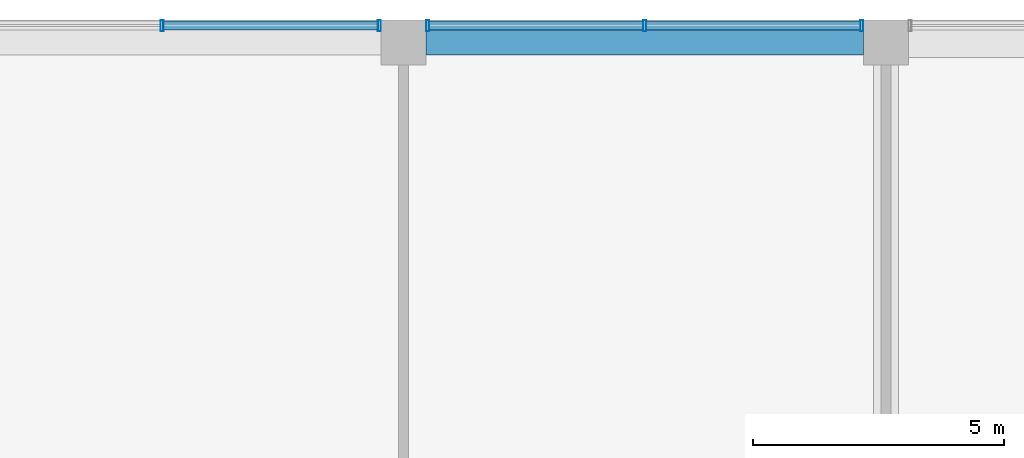
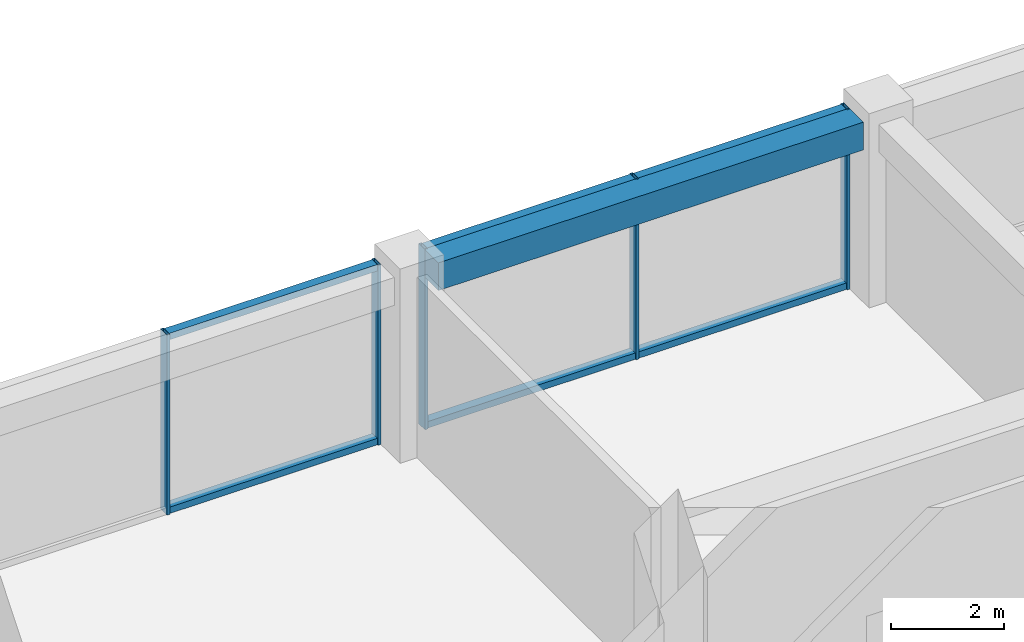
# One storey, part 24 of 37: 11 members, 1 beam, 2 elements without a shape of their own.
"""IFC4 building model written with IfcOpenShell, lengths in metres."""

import ifcopenshell
import ifcopenshell.guid

model = None  # the IFC model being written
_history = None  # IfcOwnerHistory: only IFC2X3 demands one
_inside = {}  # id of a spatial element -> (the spatial element, [elements in it])
_under = {}  # id of a project, library or spatial element -> (it, [spatial elements below it])
_declared = {}  # id of a project -> (the project, [libraries it declares])
_typed = {}  # id of a type object -> (the type object, [elements of that type])
_made_of = {}  # id of a material, layer set ... -> (it, [elements and type objects made of it])


def new_model(schema):
    """Start an empty IFC model of exactly this schema.

    Asked for "IFC4X3", IfcOpenShell would pick the latest addendum, in which some entities
    have other attributes; the version numbers below select the first issue.
    IFC2X3 requires an IfcOwnerHistory on every rooted entity: one is made here for all.
    """
    global model, _history
    if schema == "IFC4X3":
        model = ifcopenshell.file(schema_version=(4, 3, 0, 0))
    else:
        model = ifcopenshell.file(schema=schema)
    _inside.clear()
    _under.clear()
    _declared.clear()
    _typed.clear()
    _made_of.clear()
    _history = None
    if model.schema == "IFC2X3":
        org = make("IfcOrganization", Name="unknown")
        user = make(
            "IfcPersonAndOrganization",
            ThePerson=make("IfcPerson", FamilyName="unknown"),
            TheOrganization=org,
        )
        app = make(
            "IfcApplication",
            ApplicationDeveloper=org,
            Version="unknown",
            ApplicationFullName="unknown",
            ApplicationIdentifier="unknown",
        )
        _history = make(
            "IfcOwnerHistory",
            OwningUser=user,
            OwningApplication=app,
            ChangeAction="ADDED",
            CreationDate=0,
        )
    return model


def make(cls, **values):
    """One entity of the class cls with the attributes given. An attribute that is None is left unset."""
    return model.create_entity(
        cls, **{name: value for name, value in values.items() if value is not None}
    )


def rooted(cls, **values):
    """An entity with a GlobalId (a new one), such as an element, a storey or a relation."""
    return make(cls, GlobalId=ifcopenshell.guid.new(), OwnerHistory=_history, **values)


def si_unit(unit_type, name, prefix=None):
    """IfcSIUnit, for example si_unit("LENGTHUNIT", "METRE", prefix="MILLI")."""
    return make("IfcSIUnit", UnitType=unit_type, Prefix=prefix, Name=name)


def assignment(units):
    """IfcUnitAssignment: the units of a project."""
    return None if units is None else make("IfcUnitAssignment", Units=units)


def point(xyz):
    """IfcCartesianPoint."""
    return None if xyz is None else make("IfcCartesianPoint", Coordinates=xyz)


def direction(xyz):
    """IfcDirection."""
    return None if xyz is None else make("IfcDirection", DirectionRatios=xyz)


def frame(location, z_axis=None, x_axis=None):
    """IfcAxis2Placement3D, a coordinate frame: its origin and axes. An axis left out is left unset."""
    return make(
        "IfcAxis2Placement3D",
        Location=point(location),
        Axis=direction(z_axis),
        RefDirection=direction(x_axis),
    )


def frame_2d(location, x_axis=None):
    """IfcAxis2Placement2D, a coordinate frame in the plane: its origin and x axis."""
    return make(
        "IfcAxis2Placement2D", Location=point(location), RefDirection=direction(x_axis)
    )


def origin():
    """The frame at (0, 0, 0) with its axes left unset."""
    return frame((0.0, 0.0, 0.0))


def origin_2d():
    """The frame at (0, 0) in the plane with its x axis left unset."""
    return frame_2d((0.0, 0.0))


def place(relative_to, where):
    """IfcLocalPlacement: puts the frame where relative to a parent placement (None: the world)."""
    return make(
        "IfcLocalPlacement", PlacementRelTo=relative_to, RelativePlacement=where
    )


def context(
    kind, dimensions, precision=None, world=None, true_north=None, identifier=None
):
    """IfcGeometricRepresentationContext, for example the 3D "Model" context."""
    return make(
        "IfcGeometricRepresentationContext",
        ContextIdentifier=identifier,
        ContextType=kind,
        CoordinateSpaceDimension=dimensions,
        Precision=precision,
        WorldCoordinateSystem=world,
        TrueNorth=true_north,
    )


def subcontext(parent, identifier, kind, view, scale=None):
    """IfcGeometricRepresentationSubContext, for example "Body" below "Model"."""
    return make(
        "IfcGeometricRepresentationSubContext",
        ContextIdentifier=identifier,
        ContextType=kind,
        ParentContext=parent,
        TargetScale=scale,
        TargetView=view,
    )


def project(units=None, contexts=None):
    """IfcProject with its units and contexts."""
    return rooted(
        "IfcProject",
        Name="project",
        RepresentationContexts=contexts,
        UnitsInContext=assignment(units),
    )


def spatial(cls, under=None, at=None, **own):
    """A site, building, storey or space (cls), placed at a placement, below another one or the project."""
    s = rooted(cls, ObjectPlacement=at, **own)
    if under is not None:
        _under.setdefault(under.id(), (under, []))[1].append(s)
    return s


def profile(cls, at=None, kind="AREA", **sizes):
    """A parametric profile (cls). Its sizes go by their IFC names, for example OverallWidth=200.0."""
    return make(cls, ProfileType=kind, Position=at, **sizes)


def rectangle(**sizes):
    """IfcRectangleProfileDef."""
    return profile("IfcRectangleProfileDef", **sizes)


def hollow_rectangle(**sizes):
    """IfcRectangleHollowProfileDef."""
    return profile("IfcRectangleHollowProfileDef", **sizes)


def extrude(swept, where, along, depth):
    """IfcExtrudedAreaSolid: the profile swept, set in the frame where, extruded along a direction by depth."""
    return make(
        "IfcExtrudedAreaSolid",
        SweptArea=swept,
        Position=where,
        ExtrudedDirection=direction(along),
        Depth=depth,
    )


def shape(context_of_items, identifier, shape_type, items):
    """IfcShapeRepresentation: the items that make up one representation, for example the "Body"."""
    return make(
        "IfcShapeRepresentation",
        ContextOfItems=context_of_items,
        RepresentationIdentifier=identifier,
        RepresentationType=shape_type,
        Items=items,
    )


def material(Name=None, Category=None):
    """IfcMaterial."""
    return make("IfcMaterial", Name=Name, Category=Category)


def layer(
    of_material, thickness, ventilated=None, Name=None, Category=None, Priority=None
):
    """IfcMaterialLayer: one layer of a wall or slab, of a material (None: an air gap)."""
    return make(
        "IfcMaterialLayer",
        Material=of_material,
        LayerThickness=thickness,
        IsVentilated=ventilated,
        Name=Name,
        Category=Category,
        Priority=Priority,
    )


def layer_set(layers, Name=None):
    """IfcMaterialLayerSet."""
    return make("IfcMaterialLayerSet", MaterialLayers=layers, LayerSetName=Name)


def material_profile(
    of_material, cross_section, Name=None, Category=None, Priority=None
):
    """IfcMaterialProfile: a cross section and its material."""
    return make(
        "IfcMaterialProfile",
        Name=Name,
        Material=of_material,
        Profile=cross_section,
        Priority=Priority,
        Category=Category,
    )


def profile_set(profiles, Name=None, composite=None):
    """IfcMaterialProfileSet."""
    return make(
        "IfcMaterialProfileSet",
        Name=Name,
        MaterialProfiles=profiles,
        CompositeProfile=composite,
    )


def made_of(thing, what):
    """Note that an element or type object is made of a material, layer set ...; save() writes the relation."""
    if what is not None:
        _made_of.setdefault(what.id(), (what, []))[1].append(thing)
    return thing


def type_object(cls, material=None, **own):
    """A type object (cls), such as IfcWallType, which elements share."""
    return made_of(rooted(cls, **own), material)


def element(
    cls,
    number,
    at=None,
    inside=None,
    cuts=None,
    type_object=None,
    material=None,
    context=None,
    identifier="Body",
    shape_type=None,
    held_by="IfcProductDefinitionShape",
    body=None,
    shapes=None,
    **own,
):
    """One element of the class cls, such as IfcWall. Its Tag is "e" and its number.

    at: its placement. inside: the storey or other place that contains it. cuts: it is an
    opening in that element (IfcRelVoidsElement). A single representation is given by context,
    identifier, shape_type and body (its items); several are given by shapes. held_by: the class
    of the entity that holds the representations. save() writes the other relations.
    """
    e = rooted(cls, Tag="e%d" % number, ObjectPlacement=at, **own)
    if body is not None:
        shapes = [shape(context, identifier, shape_type, body)]
    if shapes is not None:
        e.Representation = make(held_by, Representations=shapes)
    if inside is not None:
        _inside.setdefault(inside.id(), (inside, []))[1].append(e)
    if cuts is not None:
        rooted(
            "IfcRelVoidsElement", RelatingBuildingElement=cuts, RelatedOpeningElement=e
        )
    if type_object is not None:
        _typed.setdefault(type_object.id(), (type_object, []))[1].append(e)
    return made_of(e, material)


def aggregate(whole, parts):
    """IfcRelAggregates: a whole, such as a stair, and the parts it consists of."""
    return rooted("IfcRelAggregates", RelatingObject=whole, RelatedObjects=parts)


def save(model, path):
    """Write the relations noted so far, then the file.

    IfcRelAggregates (storeys below a building ...), IfcRelContainedInSpatialStructure (elements
    in a storey), IfcRelDefinesByType, IfcRelAssociatesMaterial and IfcRelDeclares: one each for
    every whole, place, type object, material and project.
    """
    for whole, parts in _under.values():
        aggregate(whole, parts)
    for where, things in _inside.values():
        rooted(
            "IfcRelContainedInSpatialStructure",
            RelatedElements=things,
            RelatingStructure=where,
        )
    for kind, things in _typed.values():
        rooted("IfcRelDefinesByType", RelatedObjects=things, RelatingType=kind)
    for what, things in _made_of.values():
        rooted("IfcRelAssociatesMaterial", RelatedObjects=things, RelatingMaterial=what)
    for by, libraries in _declared.values():
        rooted("IfcRelDeclares", RelatingContext=by, RelatedDefinitions=libraries)
    model.write(path)


model = new_model("IFC4")

# Units and contexts
model_context = context("Model", 3, precision=1e-05, world=origin(), true_north=direction((0.0, 1.0)))
body_context = subcontext(model_context, "Body", "Model", "MODEL_VIEW")
ifc_project = project(units=[si_unit("LENGTHUNIT", "METRE"), si_unit("AREAUNIT", "SQUARE_METRE"), si_unit("VOLUMEUNIT", "CUBIC_METRE"), si_unit("PLANEANGLEUNIT", "RADIAN"), si_unit("MASSUNIT", "GRAM", prefix="KILO")], contexts=[model_context])

# Site, building, storey
site_placement = place(None, origin())
site = spatial("IfcSite", under=ifc_project, at=site_placement, CompositionType="ELEMENT")
building_placement = place(site_placement, origin())
building = spatial("IfcBuilding", under=site, at=building_placement, Name="Nzadi Deep Aquarium and Research Tower", CompositionType="ELEMENT")
storey_placement = place(building_placement, frame((0.0, 0.0, 57.10009765625)))
storey = spatial("IfcBuildingStorey", under=building, at=storey_placement, Name="L11", CompositionType="ELEMENT", Elevation=57.10009765625)

# Curtain wall, members
ifc_material_1 = material(Name="Aluminium unitised frame deep", Category="aluminium")
ifc_layer = layer(ifc_material_1, 0.22509765625)
ifc_layer_set = layer_set([ifc_layer], Name="Aluminium unitised frame deep")
curtain_wall_type = type_object("IfcCurtainWallType", Name="Curtain wall Unitised Deep 225", PredefinedType="NOTDEFINED", material=ifc_layer_set)
curtain_wall_1_placement = place(storey_placement, origin())
curtain_wall_1 = element("IfcCurtainWall", 1, at=curtain_wall_1_placement, inside=storey, type_object=curtain_wall_type, Name="Unitised curtain wall blade B north L11", PredefinedType="NOTDEFINED")
ifc_material_2 = material(Name="Aluminium unitised frame deep", Category="aluminium")
ifc_material_profile_1 = material_profile(ifc_material_2, hollow_rectangle(XDim=0.22509765625, YDim=0.06005859375, WallThickness=0.0048828125, at=origin_2d()))
ifc_profile_set_1 = profile_set([ifc_material_profile_1], Name="Aluminium unitised frame deep")
member_type_1 = type_object("IfcMemberType", Name="Mullion 60x225 Unitised Deep", PredefinedType="MULLION", material=ifc_profile_set_1)
member_1_placement = place(storey_placement, frame((33.60009765625, 46.33740234375, 0.0), z_axis=(0.0, 0.0, 1.0), x_axis=(0.0, 1.0, 0.0)))
member_1 = element("IfcMember", 2, at=member_1_placement, type_object=member_type_1, Name="CW149 mullion 2", PredefinedType="MULLION", context=body_context, shape_type="SweptSolid", body=[
    extrude(hollow_rectangle(XDim=0.22509765625, YDim=0.06005859375, WallThickness=0.0048828125, at=origin_2d()), origin(), (0.0, 0.0, 1.0), 3.89990234375),
])
member_2_placement = place(storey_placement, frame((37.919921875, 46.33740234375, 0.0), z_axis=(0.0, 0.0, 1.0), x_axis=(0.0, 1.0, 0.0)))
member_2 = element("IfcMember", 3, at=member_2_placement, type_object=member_type_1, Name="CW149 mullion 3", PredefinedType="MULLION", context=body_context, shape_type="SweptSolid", body=[
    extrude(hollow_rectangle(XDim=0.22509765625, YDim=0.06005859375, WallThickness=0.0048828125, at=origin_2d()), origin(), (0.0, 0.0, 1.0), 3.89990234375),
])

curtain_wall_2_placement = place(storey_placement, origin())
curtain_wall_2 = element("IfcCurtainWall", 4, at=curtain_wall_2_placement, inside=storey, type_object=curtain_wall_type, Name="Unitised curtain wall blade B north L11", PredefinedType="NOTDEFINED")
member_3_placement = place(storey_placement, frame((38.8798828125, 46.33740234375, 0.0), z_axis=(0.0, 0.0, 1.0), x_axis=(0.0, 1.0, 0.0)))
member_3 = element("IfcMember", 5, at=member_3_placement, type_object=member_type_1, Name="CW150 mullion 1", PredefinedType="MULLION", context=body_context, shape_type="SweptSolid", body=[
    extrude(hollow_rectangle(XDim=0.22509765625, YDim=0.06005859375, WallThickness=0.0048828125, at=origin_2d()), origin(), (0.0, 0.0, 1.0), 3.89990234375),
])
member_4_placement = place(storey_placement, frame((43.199951171875, 46.33740234375, 0.0), z_axis=(0.0, 0.0, 1.0), x_axis=(0.0, 1.0, 0.0)))
member_4 = element("IfcMember", 6, at=member_4_placement, type_object=member_type_1, Name="CW150 mullion 2", PredefinedType="MULLION", context=body_context, shape_type="SweptSolid", body=[
    extrude(hollow_rectangle(XDim=0.22509765625, YDim=0.06005859375, WallThickness=0.0048828125, at=origin_2d()), origin(), (0.0, 0.0, 1.0), 3.89990234375),
])
member_5_placement = place(storey_placement, frame((47.52001953125, 46.33740234375, 0.0), z_axis=(0.0, 0.0, 1.0), x_axis=(0.0, 1.0, 0.0)))
member_5 = element("IfcMember", 7, at=member_5_placement, type_object=member_type_1, Name="CW150 mullion 3", PredefinedType="MULLION", context=body_context, shape_type="SweptSolid", body=[
    extrude(hollow_rectangle(XDim=0.22509765625, YDim=0.06005859375, WallThickness=0.0048828125, at=origin_2d()), origin(), (0.0, 0.0, 1.0), 3.89990234375),
])

# Beam
ifc_material_3 = material(Name="Concrete C35/45", Category="concrete")
ifc_material_profile_2 = material_profile(ifc_material_3, rectangle(XDim=0.5, YDim=0.60009765625, at=origin_2d()))
ifc_profile_set_2 = profile_set([ifc_material_profile_2], Name="Concrete C35/45")
beam_type = type_object("IfcBeamType", Name="RC 500x600", PredefinedType="BEAM", material=ifc_profile_set_2)
beam_placement = place(storey_placement, frame((38.85009765625, 46.0, 3.599853515625), z_axis=(1.0, 0.0, 0.0), x_axis=(0.0, 1.0, 0.0)))
element("IfcBeam", 8, at=beam_placement, inside=storey, type_object=beam_type, Name="B-Z1-L11-L6-5", PredefinedType="BEAM", context=body_context, shape_type="SweptSolid", body=[
    extrude(rectangle(XDim=0.5, YDim=0.60009765625, at=origin_2d()), origin(), (0.0, 0.0, 1.0), 8.699951171875),
])

# Member
ifc_material_4 = material(Name="Aluminium unitised frame deep", Category="aluminium")
ifc_material_profile_3 = material_profile(ifc_material_4, hollow_rectangle(XDim=0.179931640625, YDim=0.139892578125, WallThickness=0.0048828125, at=origin_2d()))
ifc_profile_set_3 = profile_set([ifc_material_profile_3], Name="Aluminium unitised frame deep")
member_type_2 = type_object("IfcMemberType", Name="Transom 140x180 Unitised Deep", PredefinedType="MULLION", material=ifc_profile_set_3)
member_6_placement = place(storey_placement, frame((33.6298828125, 46.33740234375, 0.06982421875), z_axis=(1.0, 0.0, 0.0), x_axis=(0.0, 1.0, 0.0)))
member_6 = element("IfcMember", 9, at=member_6_placement, type_object=member_type_2, Name="CW149 transom 2.1", PredefinedType="MULLION", context=body_context, shape_type="SweptSolid", body=[
    extrude(hollow_rectangle(XDim=0.179931640625, YDim=0.139892578125, WallThickness=0.0048828125, at=origin_2d()), origin(), (0.0, 0.0, 1.0), 4.260009765625),
])

member_7_placement = place(storey_placement, frame((33.6298828125, 46.33740234375, 3.829833984375), z_axis=(1.0, 0.0, 0.0), x_axis=(0.0, 1.0, 0.0)))
member_7 = element("IfcMember", 10, at=member_7_placement, type_object=member_type_2, Name="CW149 transom 2.2", PredefinedType="MULLION", context=body_context, shape_type="SweptSolid", body=[
    extrude(hollow_rectangle(XDim=0.179931640625, YDim=0.139892578125, WallThickness=0.0048828125, at=origin_2d()), origin(), (0.0, 0.0, 1.0), 4.260009765625),
])

aggregate(curtain_wall_1, [member_1, member_2, member_6, member_7])

member_8_placement = place(storey_placement, frame((38.909912109375, 46.33740234375, 0.06982421875), z_axis=(1.0, 0.0, 0.0), x_axis=(0.0, 1.0, 0.0)))
member_8 = element("IfcMember", 11, at=member_8_placement, type_object=member_type_2, Name="CW150 transom 1.1", PredefinedType="MULLION", context=body_context, shape_type="SweptSolid", body=[
    extrude(hollow_rectangle(XDim=0.179931640625, YDim=0.139892578125, WallThickness=0.0048828125, at=origin_2d()), origin(), (0.0, 0.0, 1.0), 4.260009765625),
])

member_9_placement = place(storey_placement, frame((38.909912109375, 46.33740234375, 3.829833984375), z_axis=(1.0, 0.0, 0.0), x_axis=(0.0, 1.0, 0.0)))
member_9 = element("IfcMember", 12, at=member_9_placement, type_object=member_type_2, Name="CW150 transom 1.2", PredefinedType="MULLION", context=body_context, shape_type="SweptSolid", body=[
    extrude(hollow_rectangle(XDim=0.179931640625, YDim=0.139892578125, WallThickness=0.0048828125, at=origin_2d()), origin(), (0.0, 0.0, 1.0), 4.260009765625),
])

member_10_placement = place(storey_placement, frame((43.22998046875, 46.33740234375, 0.06982421875), z_axis=(1.0, 0.0, 0.0), x_axis=(0.0, 1.0, 0.0)))
member_10 = element("IfcMember", 13, at=member_10_placement, type_object=member_type_2, Name="CW150 transom 2.1", PredefinedType="MULLION", context=body_context, shape_type="SweptSolid", body=[
    extrude(hollow_rectangle(XDim=0.179931640625, YDim=0.139892578125, WallThickness=0.0048828125, at=origin_2d()), origin(), (0.0, 0.0, 1.0), 4.260009765625),
])

member_11_placement = place(storey_placement, frame((43.22998046875, 46.33740234375, 3.829833984375), z_axis=(1.0, 0.0, 0.0), x_axis=(0.0, 1.0, 0.0)))
member_11 = element("IfcMember", 14, at=member_11_placement, type_object=member_type_2, Name="CW150 transom 2.2", PredefinedType="MULLION", context=body_context, shape_type="SweptSolid", body=[
    extrude(hollow_rectangle(XDim=0.179931640625, YDim=0.139892578125, WallThickness=0.0048828125, at=origin_2d()), origin(), (0.0, 0.0, 1.0), 4.260009765625),
])

aggregate(curtain_wall_2, [member_3, member_4, member_5, member_8, member_9, member_10, member_11])

save(model, "model.ifc")
